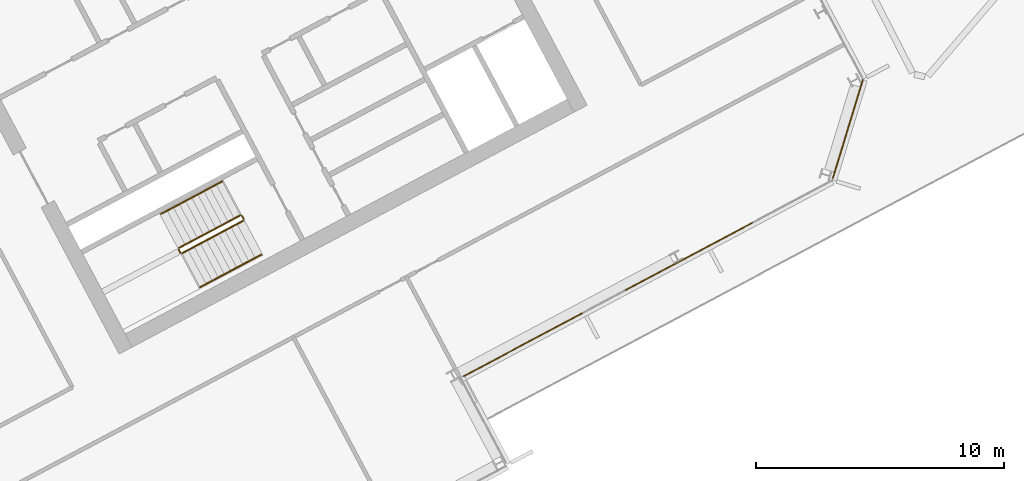
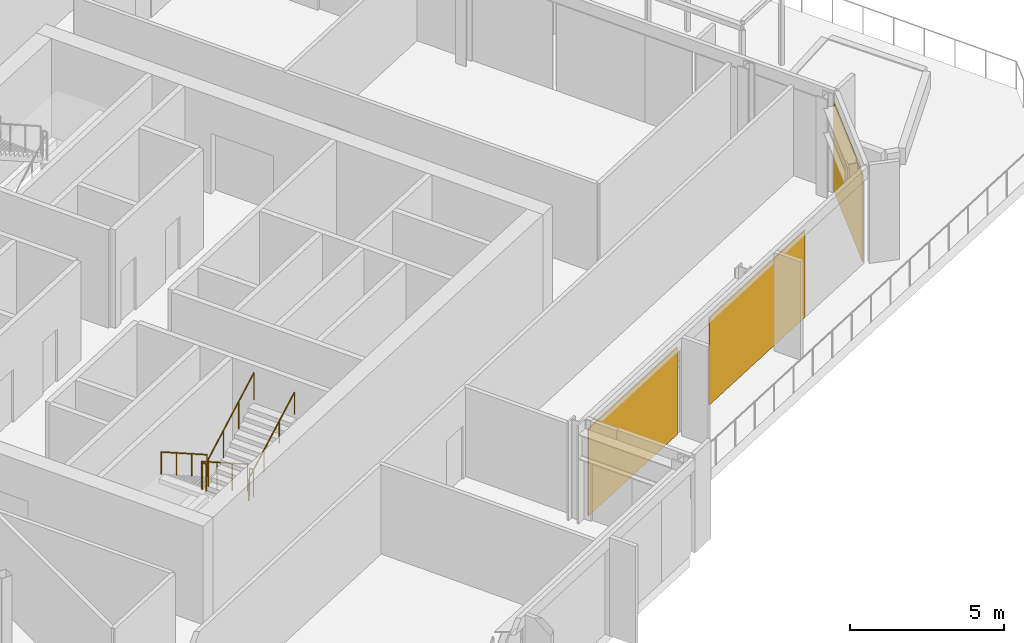
# One storey, part 28 of 31: 6 railings, 3 coverings, 2 elements without a shape of their own.
"""IFC4 building model written with IfcOpenShell, lengths in metres."""

import ifcopenshell
import ifcopenshell.guid

model = None  # the IFC model being written
_history = None  # IfcOwnerHistory: only IFC2X3 demands one
_inside = {}  # id of a spatial element -> (the spatial element, [elements in it])
_under = {}  # id of a project, library or spatial element -> (it, [spatial elements below it])
_declared = {}  # id of a project -> (the project, [libraries it declares])
_typed = {}  # id of a type object -> (the type object, [elements of that type])
_made_of = {}  # id of a material, layer set ... -> (it, [elements and type objects made of it])


def new_model(schema):
    """Start an empty IFC model of exactly this schema.

    Asked for "IFC4X3", IfcOpenShell would pick the latest addendum, in which some entities
    have other attributes; the version numbers below select the first issue.
    IFC2X3 requires an IfcOwnerHistory on every rooted entity: one is made here for all.
    """
    global model, _history
    if schema == "IFC4X3":
        model = ifcopenshell.file(schema_version=(4, 3, 0, 0))
    else:
        model = ifcopenshell.file(schema=schema)
    _inside.clear()
    _under.clear()
    _declared.clear()
    _typed.clear()
    _made_of.clear()
    _history = None
    if model.schema == "IFC2X3":
        org = make("IfcOrganization", Name="unknown")
        user = make(
            "IfcPersonAndOrganization",
            ThePerson=make("IfcPerson", FamilyName="unknown"),
            TheOrganization=org,
        )
        app = make(
            "IfcApplication",
            ApplicationDeveloper=org,
            Version="unknown",
            ApplicationFullName="unknown",
            ApplicationIdentifier="unknown",
        )
        _history = make(
            "IfcOwnerHistory",
            OwningUser=user,
            OwningApplication=app,
            ChangeAction="ADDED",
            CreationDate=0,
        )
    return model


def make(cls, **values):
    """One entity of the class cls with the attributes given. An attribute that is None is left unset."""
    return model.create_entity(
        cls, **{name: value for name, value in values.items() if value is not None}
    )


def rooted(cls, **values):
    """An entity with a GlobalId (a new one), such as an element, a storey or a relation."""
    return make(cls, GlobalId=ifcopenshell.guid.new(), OwnerHistory=_history, **values)


def si_unit(unit_type, name, prefix=None):
    """IfcSIUnit, for example si_unit("LENGTHUNIT", "METRE", prefix="MILLI")."""
    return make("IfcSIUnit", UnitType=unit_type, Prefix=prefix, Name=name)


def assignment(units):
    """IfcUnitAssignment: the units of a project."""
    return None if units is None else make("IfcUnitAssignment", Units=units)


def point(xyz):
    """IfcCartesianPoint."""
    return None if xyz is None else make("IfcCartesianPoint", Coordinates=xyz)


def direction(xyz):
    """IfcDirection."""
    return None if xyz is None else make("IfcDirection", DirectionRatios=xyz)


def frame(location, z_axis=None, x_axis=None):
    """IfcAxis2Placement3D, a coordinate frame: its origin and axes. An axis left out is left unset."""
    return make(
        "IfcAxis2Placement3D",
        Location=point(location),
        Axis=direction(z_axis),
        RefDirection=direction(x_axis),
    )


def frame_2d(location, x_axis=None):
    """IfcAxis2Placement2D, a coordinate frame in the plane: its origin and x axis."""
    return make(
        "IfcAxis2Placement2D", Location=point(location), RefDirection=direction(x_axis)
    )


def origin():
    """The frame at (0, 0, 0) with its axes left unset."""
    return frame((0.0, 0.0, 0.0))


def origin_2d():
    """The frame at (0, 0) in the plane with its x axis left unset."""
    return frame_2d((0.0, 0.0))


def place(relative_to, where):
    """IfcLocalPlacement: puts the frame where relative to a parent placement (None: the world)."""
    return make(
        "IfcLocalPlacement", PlacementRelTo=relative_to, RelativePlacement=where
    )


def context(
    kind, dimensions, precision=None, world=None, true_north=None, identifier=None
):
    """IfcGeometricRepresentationContext, for example the 3D "Model" context."""
    return make(
        "IfcGeometricRepresentationContext",
        ContextIdentifier=identifier,
        ContextType=kind,
        CoordinateSpaceDimension=dimensions,
        Precision=precision,
        WorldCoordinateSystem=world,
        TrueNorth=true_north,
    )


def subcontext(parent, identifier, kind, view, scale=None):
    """IfcGeometricRepresentationSubContext, for example "Body" below "Model"."""
    return make(
        "IfcGeometricRepresentationSubContext",
        ContextIdentifier=identifier,
        ContextType=kind,
        ParentContext=parent,
        TargetScale=scale,
        TargetView=view,
    )


def project(units=None, contexts=None):
    """IfcProject with its units and contexts."""
    return rooted(
        "IfcProject",
        Name="project",
        RepresentationContexts=contexts,
        UnitsInContext=assignment(units),
    )


def spatial(cls, under=None, at=None, **own):
    """A site, building, storey or space (cls), placed at a placement, below another one or the project."""
    s = rooted(cls, ObjectPlacement=at, **own)
    if under is not None:
        _under.setdefault(under.id(), (under, []))[1].append(s)
    return s


def polyline(points):
    """IfcPolyline through the points."""
    return make("IfcPolyline", Points=[point(p) for p in points])


def profile(cls, at=None, kind="AREA", **sizes):
    """A parametric profile (cls). Its sizes go by their IFC names, for example OverallWidth=200.0."""
    return make(cls, ProfileType=kind, Position=at, **sizes)


def rectangle(**sizes):
    """IfcRectangleProfileDef."""
    return profile("IfcRectangleProfileDef", **sizes)


def outline(outer, holes=None, kind="AREA"):
    """IfcArbitraryClosedProfileDef: a profile drawn as a closed curve; with holes, ...WithVoids."""
    if holes is None:
        return make("IfcArbitraryClosedProfileDef", ProfileType=kind, OuterCurve=outer)
    return make(
        "IfcArbitraryProfileDefWithVoids",
        ProfileType=kind,
        OuterCurve=outer,
        InnerCurves=holes,
    )


def extrude(swept, where, along, depth):
    """IfcExtrudedAreaSolid: the profile swept, set in the frame where, extruded along a direction by depth."""
    return make(
        "IfcExtrudedAreaSolid",
        SweptArea=swept,
        Position=where,
        ExtrudedDirection=direction(along),
        Depth=depth,
    )


def shape(context_of_items, identifier, shape_type, items):
    """IfcShapeRepresentation: the items that make up one representation, for example the "Body"."""
    return make(
        "IfcShapeRepresentation",
        ContextOfItems=context_of_items,
        RepresentationIdentifier=identifier,
        RepresentationType=shape_type,
        Items=items,
    )


def material(Name=None, Category=None):
    """IfcMaterial."""
    return make("IfcMaterial", Name=Name, Category=Category)


def layer(
    of_material, thickness, ventilated=None, Name=None, Category=None, Priority=None
):
    """IfcMaterialLayer: one layer of a wall or slab, of a material (None: an air gap)."""
    return make(
        "IfcMaterialLayer",
        Material=of_material,
        LayerThickness=thickness,
        IsVentilated=ventilated,
        Name=Name,
        Category=Category,
        Priority=Priority,
    )


def layer_set(layers, Name=None):
    """IfcMaterialLayerSet."""
    return make("IfcMaterialLayerSet", MaterialLayers=layers, LayerSetName=Name)


def made_of(thing, what):
    """Note that an element or type object is made of a material, layer set ...; save() writes the relation."""
    if what is not None:
        _made_of.setdefault(what.id(), (what, []))[1].append(thing)
    return thing


def type_object(cls, material=None, **own):
    """A type object (cls), such as IfcWallType, which elements share."""
    return made_of(rooted(cls, **own), material)


def element(
    cls,
    number,
    at=None,
    inside=None,
    cuts=None,
    type_object=None,
    material=None,
    context=None,
    identifier="Body",
    shape_type=None,
    held_by="IfcProductDefinitionShape",
    body=None,
    shapes=None,
    **own,
):
    """One element of the class cls, such as IfcWall. Its Tag is "e" and its number.

    at: its placement. inside: the storey or other place that contains it. cuts: it is an
    opening in that element (IfcRelVoidsElement). A single representation is given by context,
    identifier, shape_type and body (its items); several are given by shapes. held_by: the class
    of the entity that holds the representations. save() writes the other relations.
    """
    e = rooted(cls, Tag="e%d" % number, ObjectPlacement=at, **own)
    if body is not None:
        shapes = [shape(context, identifier, shape_type, body)]
    if shapes is not None:
        e.Representation = make(held_by, Representations=shapes)
    if inside is not None:
        _inside.setdefault(inside.id(), (inside, []))[1].append(e)
    if cuts is not None:
        rooted(
            "IfcRelVoidsElement", RelatingBuildingElement=cuts, RelatedOpeningElement=e
        )
    if type_object is not None:
        _typed.setdefault(type_object.id(), (type_object, []))[1].append(e)
    return made_of(e, material)


def aggregate(whole, parts):
    """IfcRelAggregates: a whole, such as a stair, and the parts it consists of."""
    return rooted("IfcRelAggregates", RelatingObject=whole, RelatedObjects=parts)


def save(model, path):
    """Write the relations noted so far, then the file.

    IfcRelAggregates (storeys below a building ...), IfcRelContainedInSpatialStructure (elements
    in a storey), IfcRelDefinesByType, IfcRelAssociatesMaterial and IfcRelDeclares: one each for
    every whole, place, type object, material and project.
    """
    for whole, parts in _under.values():
        aggregate(whole, parts)
    for where, things in _inside.values():
        rooted(
            "IfcRelContainedInSpatialStructure",
            RelatedElements=things,
            RelatingStructure=where,
        )
    for kind, things in _typed.values():
        rooted("IfcRelDefinesByType", RelatedObjects=things, RelatingType=kind)
    for what, things in _made_of.values():
        rooted("IfcRelAssociatesMaterial", RelatedObjects=things, RelatingMaterial=what)
    for by, libraries in _declared.values():
        rooted("IfcRelDeclares", RelatingContext=by, RelatedDefinitions=libraries)
    model.write(path)


model = new_model("IFC4")

# Units and contexts
model_context = context("Model", 3, precision=1e-05, world=origin(), true_north=direction((0.0, 1.0)))
body_context = subcontext(model_context, "Body", "Model", "MODEL_VIEW")
ifc_project = project(units=[si_unit("LENGTHUNIT", "METRE"), si_unit("AREAUNIT", "SQUARE_METRE"), si_unit("VOLUMEUNIT", "CUBIC_METRE"), si_unit("PLANEANGLEUNIT", "RADIAN"), si_unit("MASSUNIT", "GRAM", prefix="KILO")], contexts=[model_context])

# Site, building, storey
site_placement = place(None, origin())
site = spatial("IfcSite", under=ifc_project, at=site_placement, CompositionType="ELEMENT")
building_placement = place(site_placement, origin())
building = spatial("IfcBuilding", under=site, at=building_placement, Name="Cormorant Relay Tower", CompositionType="ELEMENT")
storey_placement = place(building_placement, frame((0.0, 0.0, 189.60009765625)))
storey = spatial("IfcBuildingStorey", under=building, at=storey_placement, Name="L40", CompositionType="ELEMENT", Elevation=189.60009765625)

# Curtain wall, coverings
ifc_material_1 = material(Name="Aluminium 6063-T6 anodised bronze", Category="aluminium")
ifc_layer_1 = layer(ifc_material_1, 0.199951171875)
ifc_layer_set_1 = layer_set([ifc_layer_1], Name="CW1 unitised bronze curtain wall with vertical fins")
curtain_wall_type = type_object("IfcCurtainWallType", Name="CW1 unitised bronze curtain wall with vertical fins", PredefinedType="NOTDEFINED", material=ifc_layer_set_1)
curtain_wall_1_placement = place(storey_placement, origin())
curtain_wall_1 = element("IfcCurtainWall", 1, at=curtain_wall_1_placement, inside=storey, type_object=curtain_wall_type, Name="CW1 curtain wall 4", PredefinedType="NOTDEFINED")
ifc_material_2 = material(Name="Pale bronze anodised aluminium insulated panel", Category="aluminium")
ifc_layer_2 = layer(ifc_material_2, 0.0400390625)
ifc_layer_set_2 = layer_set([ifc_layer_2], Name="CW1 pale bronze insulated panel 40")
covering_type = type_object("IfcCoveringType", Name="CW1 pale bronze insulated panel 40", PredefinedType="CLADDING", material=ifc_layer_set_2)
covering_1_placement = place(storey_placement, frame((35.247802734375, -0.534912109375, 0.0), z_axis=(0.0, 0.0, 1.0), x_axis=(0.882947592859, 0.469471562786, 0.0)))
covering_1 = element("IfcCovering", 2, at=covering_1_placement, type_object=covering_type, Name="CW1 panel S00", PredefinedType="CLADDING", context=body_context, shape_type="SweptSolid", body=[
    extrude(rectangle(XDim=5.441650390625, YDim=0.0400390625, at=origin_2d()), origin(), (0.0, 0.0, 1.0), 3.449951171875),
])
covering_2_placement = place(storey_placement, frame((41.9580078125, 3.033203125, 0.0), z_axis=(0.0, 0.0, 1.0), x_axis=(0.882947592859, 0.469471562786, 0.0)))
covering_2 = element("IfcCovering", 3, at=covering_2_placement, type_object=covering_type, Name="CW1 panel S02", PredefinedType="CLADDING", context=body_context, shape_type="SweptSolid", body=[
    extrude(rectangle(XDim=5.8583984375, YDim=0.0400390625, at=origin_2d()), origin(), (0.0, 0.0, 1.0), 3.449951171875),
])
aggregate(curtain_wall_1, [covering_1, covering_2])

# Curtain wall, covering
curtain_wall_2_placement = place(storey_placement, origin())
curtain_wall_2 = element("IfcCurtainWall", 4, at=curtain_wall_2_placement, inside=storey, type_object=curtain_wall_type, Name="CW1 curtain wall 5", PredefinedType="NOTDEFINED")
covering_3_placement = place(storey_placement, frame((48.364013671875, 8.1748046875, 0.0), z_axis=(0.0, 0.0, 1.0), x_axis=(0.292371704723, 0.956304755963, 0.0)))
covering_3 = element("IfcCovering", 5, at=covering_3_placement, type_object=covering_type, Name="CW1 panel S00", PredefinedType="CLADDING", context=body_context, shape_type="SweptSolid", body=[
    extrude(rectangle(XDim=4.16748046875, YDim=0.0400390625, at=origin_2d()), origin(), (0.0, 0.0, 1.0), 3.449951171875),
])
aggregate(curtain_wall_2, [covering_3])

# Railings
ifc_material_3 = material(Name="Steel ASTM A572 Grade 50 (Fy 345 MPa)", Category="steel")
railing_type_1 = type_object("IfcRailingType", Name="Stair guard 1100", PredefinedType="GUARDRAIL", material=ifc_material_3)
railing_1_placement = place(storey_placement, frame((23.83837890625, 4.6904296875, 0.17724609375)))
element("IfcRailing", 6, at=railing_1_placement, inside=storey, type_object=railing_type_1, Name="L40 B1 stair guard 1", PredefinedType="GUARDRAIL", context=body_context, shape_type="SweptSolid", body=[
    extrude(outline(polyline([(0.022216796875, 0.00927734375), (0.00927734375, 0.022216796875), (-0.00927734375, 0.022216796875), (-0.022216796875, 0.00927734375), (-0.022216796875, -0.00927734375), (-0.00927734375, -0.022216796875), (0.00927734375, -0.022216796875), (0.022216796875, -0.00927734375), (0.022216796875, 0.00927734375)])), frame((0.0, 0.0, 1.076171875), z_axis=(-0.746033882577, -0.396627473466, 0.534901947407), x_axis=(0.469429322983, -0.882970050864, 0.0)), (0.0, 0.0, 1.0), 3.31396484375),
    extrude(outline(polyline([(0.019287109375, 0.008056640625), (0.008056640625, 0.019287109375), (-0.008056640625, 0.019287109375), (-0.019287109375, 0.008056640625), (-0.019287109375, -0.008056640625), (-0.008056640625, -0.019287109375), (0.008056640625, -0.019287109375), (0.019287109375, -0.008056640625), (0.019287109375, 0.008056640625)])), origin(), (0.0, 0.0, 1.0), 1.052001953125),
    extrude(outline(polyline([(0.019287109375, 0.008056640625), (0.008056640625, 0.019287109375), (-0.008056640625, 0.019287109375), (-0.019287109375, 0.008056640625), (-0.019287109375, -0.008056640625), (-0.008056640625, -0.019287109375), (0.008056640625, -0.019287109375), (0.019287109375, -0.008056640625), (0.019287109375, 0.008056640625)])), frame((-0.82421875, -0.438232421875, 0.5908203125)), (0.0, 0.0, 1.0), 1.052001953125),
    extrude(outline(polyline([(0.019287109375, 0.008056640625), (0.008056640625, 0.019287109375), (-0.008056640625, 0.019287109375), (-0.019287109375, 0.008056640625), (-0.019287109375, -0.008056640625), (-0.008056640625, -0.019287109375), (0.008056640625, -0.019287109375), (0.019287109375, -0.008056640625), (0.019287109375, 0.008056640625)])), frame((-1.648193359375, -0.876220703125, 1.181884765625)), (0.0, 0.0, 1.0), 1.052001953125),
    extrude(outline(polyline([(0.019287109375, 0.008056640625), (0.008056640625, 0.019287109375), (-0.008056640625, 0.019287109375), (-0.019287109375, 0.008056640625), (-0.019287109375, -0.008056640625), (-0.008056640625, -0.019287109375), (0.008056640625, -0.019287109375), (0.019287109375, -0.008056640625), (0.019287109375, 0.008056640625)])), frame((-2.472412109375, -1.314453125, 1.772705078125)), (0.0, 0.0, 1.0), 1.052001953125),
])
railing_2_placement = place(storey_placement, frame((21.345458984375, 3.308349609375, 1.949951171875)))
element("IfcRailing", 7, at=railing_2_placement, inside=storey, type_object=railing_type_1, Name="L40 B1 stair guard 2", PredefinedType="GUARDRAIL", context=body_context, shape_type="SweptSolid", body=[
    extrude(outline(polyline([(0.022216796875, 0.00927734375), (0.00927734375, 0.022216796875), (-0.00927734375, 0.022216796875), (-0.022216796875, 0.00927734375), (-0.022216796875, -0.00927734375), (-0.00927734375, -0.022216796875), (0.00927734375, -0.022216796875), (0.022216796875, -0.00927734375), (0.022216796875, 0.00927734375)])), frame((0.0, 0.0, 1.076171875), z_axis=(0.46856034887, -0.8834314911, 0.0), x_axis=(0.8834314911, 0.46856034887, 0.0)), (0.0, 0.0, 1.0), 0.150146484375),
    extrude(outline(polyline([(0.019287109375, 0.008056640625), (0.008056640625, 0.019287109375), (-0.008056640625, 0.019287109375), (-0.019287109375, 0.008056640625), (-0.019287109375, -0.008056640625), (-0.008056640625, -0.019287109375), (0.008056640625, -0.019287109375), (0.019287109375, -0.008056640625), (0.019287109375, 0.008056640625)])), origin(), (0.0, 0.0, 1.0), 1.052001953125),
    extrude(outline(polyline([(0.019287109375, 0.008056640625), (0.008056640625, 0.019287109375), (-0.008056640625, 0.019287109375), (-0.019287109375, 0.008056640625), (-0.019287109375, -0.008056640625), (-0.008056640625, -0.019287109375), (0.008056640625, -0.019287109375), (0.019287109375, -0.008056640625), (0.019287109375, 0.008056640625)])), frame((0.0703125, -0.132568359375, 0.0)), (0.0, 0.0, 1.0), 1.052001953125),
])
railing_3_placement = place(storey_placement, frame((21.4833984375, 3.1552734375, 2.127197265625)))
element("IfcRailing", 8, at=railing_3_placement, inside=storey, type_object=railing_type_1, Name="L40 B1 stair guard 3", PredefinedType="GUARDRAIL", context=body_context, shape_type="SweptSolid", body=[
    extrude(outline(polyline([(0.022216796875, 0.00927734375), (0.00927734375, 0.022216796875), (-0.00927734375, 0.022216796875), (-0.022216796875, 0.00927734375), (-0.022216796875, -0.00927734375), (-0.00927734375, -0.022216796875), (0.00927734375, -0.022216796875), (0.022216796875, -0.00927734375), (0.022216796875, 0.00927734375)])), frame((0.0, 0.0, 1.076171875), z_axis=(0.746001213114, 0.396649272309, 0.534931345884), x_axis=(-0.469465464807, 0.882950835185, 0.0)), (0.0, 0.0, 1.0), 3.31396484375),
    extrude(outline(polyline([(0.019287109375, 0.008056640625), (0.008056640625, 0.019287109375), (-0.008056640625, 0.019287109375), (-0.019287109375, 0.008056640625), (-0.019287109375, -0.008056640625), (-0.008056640625, -0.019287109375), (0.008056640625, -0.019287109375), (0.019287109375, -0.008056640625), (0.019287109375, 0.008056640625)])), origin(), (0.0, 0.0, 1.0), 1.052001953125),
    extrude(outline(polyline([(0.019287109375, 0.008056640625), (0.008056640625, 0.019287109375), (-0.008056640625, 0.019287109375), (-0.019287109375, 0.008056640625), (-0.019287109375, -0.008056640625), (-0.008056640625, -0.019287109375), (0.008056640625, -0.019287109375), (0.019287109375, -0.008056640625), (0.019287109375, 0.008056640625)])), frame((0.823974609375, 0.438232421875, 0.5908203125)), (0.0, 0.0, 1.0), 1.052001953125),
    extrude(outline(polyline([(0.019287109375, 0.008056640625), (0.008056640625, 0.019287109375), (-0.008056640625, 0.019287109375), (-0.019287109375, 0.008056640625), (-0.019287109375, -0.008056640625), (-0.008056640625, -0.019287109375), (0.008056640625, -0.019287109375), (0.019287109375, -0.008056640625), (0.019287109375, 0.008056640625)])), frame((1.648193359375, 0.876220703125, 1.181884765625)), (0.0, 0.0, 1.0), 1.052001953125),
    extrude(outline(polyline([(0.019287109375, 0.008056640625), (0.008056640625, 0.019287109375), (-0.008056640625, 0.019287109375), (-0.019287109375, 0.008056640625), (-0.019287109375, -0.008056640625), (-0.008056640625, -0.019287109375), (0.008056640625, -0.019287109375), (0.019287109375, -0.008056640625), (0.019287109375, 0.008056640625)])), frame((2.47216796875, 1.314453125, 1.772705078125)), (0.0, 0.0, 1.0), 1.052001953125),
])
railing_4_placement = place(storey_placement, frame((23.906005859375, 4.669677734375, 0.0)))
element("IfcRailing", 9, at=railing_4_placement, inside=storey, type_object=railing_type_1, Name="L40 B1 stair guard 4", PredefinedType="GUARDRAIL", context=body_context, shape_type="SweptSolid", body=[
    extrude(outline(polyline([(0.022216796875, 0.00927734375), (0.00927734375, 0.022216796875), (-0.00927734375, 0.022216796875), (-0.022216796875, 0.00927734375), (-0.022216796875, -0.00927734375), (-0.00927734375, -0.022216796875), (0.00927734375, -0.022216796875), (0.022216796875, -0.00927734375), (0.022216796875, 0.00927734375)])), frame((0.0, 0.0, 1.076171875), z_axis=(0.469234640946, -0.883073525669, 0.0), x_axis=(0.883073525669, 0.469234640946, 0.0)), (0.0, 0.0, 1.0), 0.14990234375),
    extrude(outline(polyline([(0.019287109375, 0.008056640625), (0.008056640625, 0.019287109375), (-0.008056640625, 0.019287109375), (-0.019287109375, 0.008056640625), (-0.019287109375, -0.008056640625), (-0.008056640625, -0.019287109375), (0.008056640625, -0.019287109375), (0.019287109375, -0.008056640625), (0.019287109375, 0.008056640625)])), origin(), (0.0, 0.0, 1.0), 1.052001953125),
    extrude(outline(polyline([(0.019287109375, 0.008056640625), (0.008056640625, 0.019287109375), (-0.008056640625, 0.019287109375), (-0.019287109375, 0.008056640625), (-0.019287109375, -0.008056640625), (-0.008056640625, -0.019287109375), (0.008056640625, -0.019287109375), (0.019287109375, -0.008056640625), (0.019287109375, 0.008056640625)])), frame((0.0703125, -0.13232421875, 0.0)), (0.0, 0.0, 1.0), 1.052001953125),
])
ifc_material_4 = material(Name="Steel ASTM A572 Grade 50 (Fy 345 MPa)", Category="steel")
railing_type_2 = type_object("IfcRailingType", Name="Stair handrail 900", PredefinedType="HANDRAIL", material=ifc_material_4)
railing_5_placement = place(storey_placement, frame((23.110595703125, 6.05908203125, 0.17724609375)))
element("IfcRailing", 10, at=railing_5_placement, inside=storey, type_object=railing_type_2, Name="L40 B1 stair handrail 1", PredefinedType="HANDRAIL", context=body_context, shape_type="SweptSolid", body=[
    extrude(outline(polyline([(0.022216796875, 0.00927734375), (0.00927734375, 0.022216796875), (-0.00927734375, 0.022216796875), (-0.022216796875, 0.00927734375), (-0.022216796875, -0.00927734375), (-0.00927734375, -0.022216796875), (0.00927734375, -0.022216796875), (0.022216796875, -0.00927734375), (0.022216796875, 0.00927734375)])), frame((0.0, 0.0, 0.8759765625), z_axis=(-0.745979412481, -0.396711350603, 0.534915713414), x_axis=(0.469533439143, -0.882914689835, 0.0)), (0.0, 0.0, 1.0), 3.31396484375),
    extrude(outline(polyline([(0.019287109375, 0.008056640625), (0.008056640625, 0.019287109375), (-0.008056640625, 0.019287109375), (-0.019287109375, 0.008056640625), (-0.019287109375, -0.008056640625), (-0.008056640625, -0.019287109375), (0.008056640625, -0.019287109375), (0.019287109375, -0.008056640625), (0.019287109375, 0.008056640625)])), origin(), (0.0, 0.0, 1.0), 0.851806640625),
    extrude(outline(polyline([(0.019287109375, 0.008056640625), (0.008056640625, 0.019287109375), (-0.008056640625, 0.019287109375), (-0.019287109375, 0.008056640625), (-0.019287109375, -0.008056640625), (-0.008056640625, -0.019287109375), (0.008056640625, -0.019287109375), (0.019287109375, -0.008056640625), (0.019287109375, 0.008056640625)])), frame((-0.823974609375, -0.438232421875, 0.5908203125)), (0.0, 0.0, 1.0), 0.851806640625),
    extrude(outline(polyline([(0.019287109375, 0.008056640625), (0.008056640625, 0.019287109375), (-0.008056640625, 0.019287109375), (-0.019287109375, 0.008056640625), (-0.019287109375, -0.008056640625), (-0.008056640625, -0.019287109375), (0.008056640625, -0.019287109375), (0.019287109375, -0.008056640625), (0.019287109375, 0.008056640625)])), frame((-1.648193359375, -0.87646484375, 1.181884765625)), (0.0, 0.0, 1.0), 0.851806640625),
    extrude(outline(polyline([(0.019287109375, 0.008056640625), (0.008056640625, 0.019287109375), (-0.008056640625, 0.019287109375), (-0.019287109375, 0.008056640625), (-0.019287109375, -0.008056640625), (-0.008056640625, -0.019287109375), (0.008056640625, -0.019287109375), (0.019287109375, -0.008056640625), (0.019287109375, 0.008056640625)])), frame((-2.47216796875, -1.314697265625, 1.772705078125)), (0.0, 0.0, 1.0), 0.851806640625),
])
railing_6_placement = place(storey_placement, frame((22.211181640625, 1.78662109375, 2.127197265625)))
element("IfcRailing", 11, at=railing_6_placement, inside=storey, type_object=railing_type_2, Name="L40 B1 stair handrail 2", PredefinedType="HANDRAIL", context=body_context, shape_type="SweptSolid", body=[
    extrude(outline(polyline([(0.022216796875, 0.00927734375), (0.00927734375, 0.022216796875), (-0.00927734375, 0.022216796875), (-0.022216796875, 0.00927734375), (-0.022216796875, -0.00927734375), (-0.00927734375, -0.022216796875), (0.00927734375, -0.022216796875), (0.022216796875, -0.00927734375), (0.022216796875, 0.00927734375)])), frame((0.0, 0.0, 0.8759765625), z_axis=(0.746001213114, 0.396649272309, 0.534931345884), x_axis=(-0.469465464807, 0.882950835185, 0.0)), (0.0, 0.0, 1.0), 3.31396484375),
    extrude(outline(polyline([(0.019287109375, 0.008056640625), (0.008056640625, 0.019287109375), (-0.008056640625, 0.019287109375), (-0.019287109375, 0.008056640625), (-0.019287109375, -0.008056640625), (-0.008056640625, -0.019287109375), (0.008056640625, -0.019287109375), (0.019287109375, -0.008056640625), (0.019287109375, 0.008056640625)])), origin(), (0.0, 0.0, 1.0), 0.851806640625),
    extrude(outline(polyline([(0.019287109375, 0.008056640625), (0.008056640625, 0.019287109375), (-0.008056640625, 0.019287109375), (-0.019287109375, 0.008056640625), (-0.019287109375, -0.008056640625), (-0.008056640625, -0.019287109375), (0.008056640625, -0.019287109375), (0.019287109375, -0.008056640625), (0.019287109375, 0.008056640625)])), frame((0.823974609375, 0.438232421875, 0.5908203125)), (0.0, 0.0, 1.0), 0.851806640625),
    extrude(outline(polyline([(0.019287109375, 0.008056640625), (0.008056640625, 0.019287109375), (-0.008056640625, 0.019287109375), (-0.019287109375, 0.008056640625), (-0.019287109375, -0.008056640625), (-0.008056640625, -0.019287109375), (0.008056640625, -0.019287109375), (0.019287109375, -0.008056640625), (0.019287109375, 0.008056640625)])), frame((1.648193359375, 0.876220703125, 1.181884765625)), (0.0, 0.0, 1.0), 0.851806640625),
    extrude(outline(polyline([(0.019287109375, 0.008056640625), (0.008056640625, 0.019287109375), (-0.008056640625, 0.019287109375), (-0.019287109375, 0.008056640625), (-0.019287109375, -0.008056640625), (-0.008056640625, -0.019287109375), (0.008056640625, -0.019287109375), (0.019287109375, -0.008056640625), (0.019287109375, 0.008056640625)])), frame((2.47216796875, 1.314453125, 1.772705078125)), (0.0, 0.0, 1.0), 0.851806640625),
])

save(model, "model.ifc")
